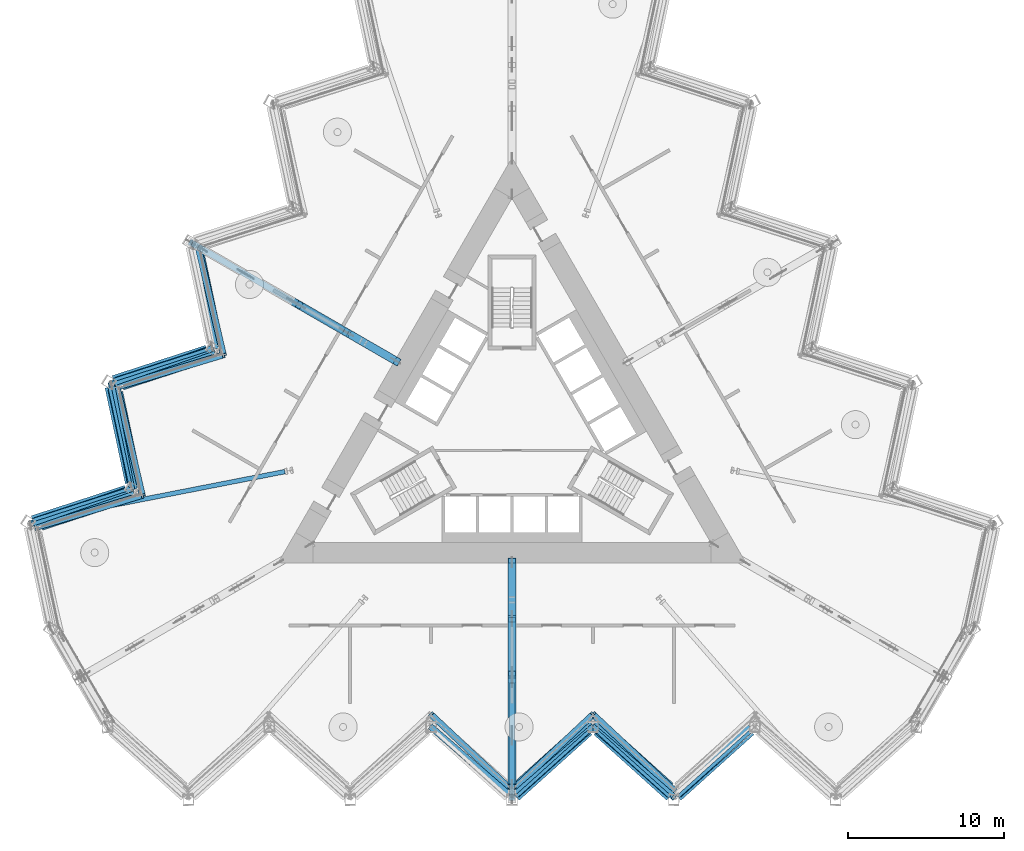
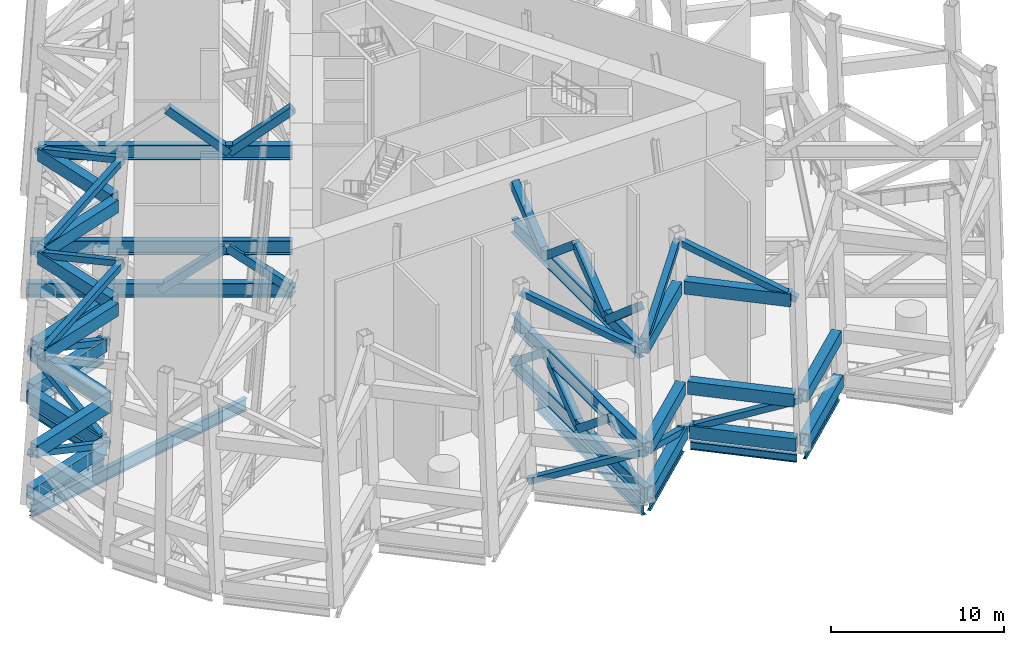
# One storey, part 3 of 19: 48 members, 8 beams.
"""IFC4 building model written with IfcOpenShell, lengths in metres."""

from ifc_helpers import new_model, si_unit, direction, frame, origin, origin_2d, place, context, subcontext, project, spatial, hollow_rectangle, i_section, extrude, material, material_profile, profile_set, type_object, element, save


model = new_model("IFC4")

# Units and contexts
model_context = context("Model", 3, precision=1e-05, world=origin(), true_north=direction((0.0, 1.0)))
body_context = subcontext(model_context, "Body", "Model", "MODEL_VIEW")
ifc_project = project(units=[si_unit("LENGTHUNIT", "METRE"), si_unit("AREAUNIT", "SQUARE_METRE"), si_unit("VOLUMEUNIT", "CUBIC_METRE"), si_unit("PLANEANGLEUNIT", "RADIAN"), si_unit("MASSUNIT", "GRAM", prefix="KILO")], contexts=[model_context])

# Site, building, storey
site_placement = place(None, origin())
site = spatial("IfcSite", under=ifc_project, at=site_placement, CompositionType="ELEMENT")
building_placement = place(site_placement, origin())
building = spatial("IfcBuilding", under=site, at=building_placement, Name="Cormorant Prow Tower", CompositionType="ELEMENT")
storey_placement = place(building_placement, frame((0.0, 0.0, 287.800048828125)))
storey = spatial("IfcBuildingStorey", under=building, at=storey_placement, Name="L64", CompositionType="ELEMENT", Elevation=287.800048828125)

# Members
ifc_material_1 = material(Name="Structural steel ASTM A572 Gr 50", Category="steel")
ifc_material_profile_1 = material_profile(ifc_material_1, hollow_rectangle(XDim=0.60009765625, YDim=0.89990234375, WallThickness=0.06005859375, at=origin_2d()), Name="Box 900x600x60")
ifc_profile_set_1 = profile_set([ifc_material_profile_1], Name="Structural steel ASTM A572 Gr 50")
member_type_1 = type_object("IfcMemberType", Name="Belt truss bottom chord 900x600x60", PredefinedType="CHORD", material=ifc_profile_set_1)
member_1_placement = place(storey_placement, frame((0.260009765625, -23.65283203125, 0.449951171875), z_axis=(0.743156918576, 0.669117175368, 0.0), x_axis=(-0.669117175368, 0.743156918576, 0.0)))
element("IfcMember", 1, at=member_1_placement, inside=storey, type_object=member_type_1, Name="Belt truss bottom chord S05-S06 L64", PredefinedType="CHORD", context=body_context, shape_type="SweptSolid", body=[
    extrude(hollow_rectangle(XDim=0.60009765625, YDim=0.89990234375, WallThickness=0.06005859375, at=origin_2d()), origin(), (0.0, 0.0, 1.0), 6.281494140625),
])
member_2_placement = place(storey_placement, frame((0.260009765625, -23.43603515625, 3.449951171875), z_axis=(0.743174381453, 0.669097779664, 0.0), x_axis=(-0.669097779664, 0.743174381453, 0.0)))
element("IfcMember", 2, at=member_2_placement, inside=storey, type_object=member_type_1, Name="Belt truss intermediate chord S05-S06 L64 level 1", PredefinedType="CHORD", context=body_context, shape_type="SweptSolid", body=[
    extrude(hollow_rectangle(XDim=0.60009765625, YDim=0.89990234375, WallThickness=0.06005859375, at=origin_2d()), origin(), (0.0, 0.0, 1.0), 6.28515625),
])
member_3_placement = place(storey_placement, frame((0.260009765625, -23.00927734375, 10.25), z_axis=(0.743153289004, 0.669121206541, 0.0), x_axis=(-0.669121206541, 0.743153289004, 0.0)))
element("IfcMember", 3, at=member_3_placement, inside=storey, type_object=member_type_1, Name="Belt truss intermediate chord S05-S06 L64 level 2", PredefinedType="CHORD", context=body_context, shape_type="SweptSolid", body=[
    extrude(hollow_rectangle(XDim=0.60009765625, YDim=0.89990234375, WallThickness=0.06005859375, at=origin_2d()), origin(), (0.0, 0.0, 1.0), 6.292236328125),
])
member_4_placement = place(storey_placement, frame((5.4482421875, -19.44970703125, 0.449951171875), z_axis=(0.743156918576, -0.669117175368, 0.0), x_axis=(0.669117175368, 0.743156918576, 0.0)))
element("IfcMember", 4, at=member_4_placement, inside=storey, type_object=member_type_1, Name="Belt truss bottom chord S06-S07 L64", PredefinedType="CHORD", context=body_context, shape_type="SweptSolid", body=[
    extrude(hollow_rectangle(XDim=0.60009765625, YDim=0.89990234375, WallThickness=0.06005859375, at=origin_2d()), origin(), (0.0, 0.0, 1.0), 6.281494140625),
])
member_5_placement = place(storey_placement, frame((5.450927734375, -19.230712890625, 3.449951171875), z_axis=(0.743174381453, -0.669097779664, 0.0), x_axis=(0.669097779664, 0.743174381453, 0.0)))
element("IfcMember", 5, at=member_5_placement, inside=storey, type_object=member_type_1, Name="Belt truss intermediate chord S06-S07 L64 level 1", PredefinedType="CHORD", context=body_context, shape_type="SweptSolid", body=[
    extrude(hollow_rectangle(XDim=0.60009765625, YDim=0.89990234375, WallThickness=0.06005859375, at=origin_2d()), origin(), (0.0, 0.0, 1.0), 6.28515625),
])
member_6_placement = place(storey_placement, frame((5.456298828125, -18.799072265625, 10.25), z_axis=(0.743153289004, -0.669121206541, 0.0), x_axis=(0.669121206541, 0.743153289004, 0.0)))
element("IfcMember", 6, at=member_6_placement, inside=storey, type_object=member_type_1, Name="Belt truss intermediate chord S06-S07 L64 level 2", PredefinedType="CHORD", context=body_context, shape_type="SweptSolid", body=[
    extrude(hollow_rectangle(XDim=0.60009765625, YDim=0.89990234375, WallThickness=0.06005859375, at=origin_2d()), origin(), (0.0, 0.0, 1.0), 6.292236328125),
])
member_7_placement = place(storey_placement, frame((10.636474609375, -23.65283203125, 0.449951171875), z_axis=(0.743156918576, 0.669117175368, 0.0), x_axis=(-0.669117175368, 0.743156918576, 0.0)))
element("IfcMember", 7, at=member_7_placement, inside=storey, type_object=member_type_1, Name="Belt truss bottom chord S07-S08 L64", PredefinedType="CHORD", context=body_context, shape_type="SweptSolid", body=[
    extrude(hollow_rectangle(XDim=0.60009765625, YDim=0.89990234375, WallThickness=0.06005859375, at=origin_2d()), origin(), (0.0, 0.0, 1.0), 6.281494140625),
])
member_8_placement = place(storey_placement, frame((10.641845703125, -23.43603515625, 3.449951171875), z_axis=(0.743174381453, 0.669097779664, 0.0), x_axis=(-0.669097779664, 0.743174381453, 0.0)))
element("IfcMember", 8, at=member_8_placement, inside=storey, type_object=member_type_1, Name="Belt truss intermediate chord S07-S08 L64 level 1", PredefinedType="CHORD", context=body_context, shape_type="SweptSolid", body=[
    extrude(hollow_rectangle(XDim=0.60009765625, YDim=0.89990234375, WallThickness=0.06005859375, at=origin_2d()), origin(), (0.0, 0.0, 1.0), 6.28515625),
])
member_9_placement = place(storey_placement, frame((-20.056640625, 11.279296875, 10.25), z_axis=(0.207899129292, -0.978150270684, 0.0), x_axis=(0.978150270684, 0.207899129292, 0.0)))
element("IfcMember", 9, at=member_9_placement, inside=storey, type_object=member_type_1, Name="Belt truss intermediate chord WNW05-WNW06 L64 level 2", PredefinedType="CHORD", context=body_context, shape_type="SweptSolid", body=[
    extrude(hollow_rectangle(XDim=0.60009765625, YDim=0.89990234375, WallThickness=0.06005859375, at=origin_2d()), origin(), (0.0, 0.0, 1.0), 6.2919921875),
])
member_10_placement = place(storey_placement, frame((-19.568115234375, 5.00634765625, 0.449951171875), z_axis=(-0.951061771288, -0.309000820701, 0.0), x_axis=(0.309000820701, -0.951061771288, 0.0)))
element("IfcMember", 10, at=member_10_placement, inside=storey, type_object=member_type_1, Name="Belt truss bottom chord WNW06-WNW07 L64", PredefinedType="CHORD", context=body_context, shape_type="SweptSolid", body=[
    extrude(hollow_rectangle(XDim=0.60009765625, YDim=0.89990234375, WallThickness=0.06005859375, at=origin_2d()), origin(), (0.0, 0.0, 1.0), 6.28125),
])
member_11_placement = place(storey_placement, frame((-19.379638671875, 4.89453125, 3.449951171875), z_axis=(-0.951060327373, -0.309005264836, 0.0), x_axis=(0.309005264836, -0.951060327373, 0.0)))
element("IfcMember", 11, at=member_11_placement, inside=storey, type_object=member_type_1, Name="Belt truss intermediate chord WNW06-WNW07 L64 level 1", PredefinedType="CHORD", context=body_context, shape_type="SweptSolid", body=[
    extrude(hollow_rectangle(XDim=0.60009765625, YDim=0.89990234375, WallThickness=0.06005859375, at=origin_2d()), origin(), (0.0, 0.0, 1.0), 6.28515625),
])
member_12_placement = place(storey_placement, frame((-19.008544921875, 4.67431640625, 10.25), z_axis=(-0.951057732739, -0.309013250521, 0.0), x_axis=(0.309013250521, -0.951057732739, 0.0)))
element("IfcMember", 12, at=member_12_placement, inside=storey, type_object=member_type_1, Name="Belt truss intermediate chord WNW06-WNW07 L64 level 2", PredefinedType="CHORD", context=body_context, shape_type="SweptSolid", body=[
    extrude(hollow_rectangle(XDim=0.60009765625, YDim=0.89990234375, WallThickness=0.06005859375, at=origin_2d()), origin(), (0.0, 0.0, 1.0), 6.2919921875),
])
member_13_placement = place(storey_placement, frame((-25.80224609375, 2.61474609375, 0.449951171875), z_axis=(0.207941499013, -0.978141264331, 0.0), x_axis=(0.978141264331, 0.207941499013, 0.0)))
element("IfcMember", 13, at=member_13_placement, inside=storey, type_object=member_type_1, Name="Belt truss bottom chord WNW07-WNW08 L64", PredefinedType="CHORD", context=body_context, shape_type="SweptSolid", body=[
    extrude(hollow_rectangle(XDim=0.60009765625, YDim=0.89990234375, WallThickness=0.06005859375, at=origin_2d()), origin(), (0.0, 0.0, 1.0), 6.28125),
])
member_14_placement = place(storey_placement, frame((-25.6171875, 2.501953125, 3.449951171875), z_axis=(0.207897315893, -0.978150656108, 0.0), x_axis=(0.978150656108, 0.207897315893, 0.0)))
element("IfcMember", 14, at=member_14_placement, inside=storey, type_object=member_type_1, Name="Belt truss intermediate chord WNW07-WNW08 L64 level 1", PredefinedType="CHORD", context=body_context, shape_type="SweptSolid", body=[
    extrude(hollow_rectangle(XDim=0.60009765625, YDim=0.89990234375, WallThickness=0.06005859375, at=origin_2d()), origin(), (0.0, 0.0, 1.0), 6.284912109375),
])
member_15_placement = place(storey_placement, frame((-25.2529296875, 2.279296875, 10.25), z_axis=(0.207936253386, -0.978142379476, 0.0), x_axis=(0.978142379476, 0.207936253386, 0.0)))
element("IfcMember", 15, at=member_15_placement, inside=storey, type_object=member_type_1, Name="Belt truss intermediate chord WNW07-WNW08 L64 level 2", PredefinedType="CHORD", context=body_context, shape_type="SweptSolid", body=[
    extrude(hollow_rectangle(XDim=0.60009765625, YDim=0.89990234375, WallThickness=0.06005859375, at=origin_2d()), origin(), (0.0, 0.0, 1.0), 6.2919921875),
])
member_16_placement = place(storey_placement, frame((-24.75634765625, -3.97998046875, 0.449951171875), z_axis=(-0.951061771288, -0.309000820701, 0.0), x_axis=(0.309000820701, -0.951061771288, 0.0)))
element("IfcMember", 16, at=member_16_placement, inside=storey, type_object=member_type_1, Name="Belt truss bottom chord WNW08-WNW09 L64", PredefinedType="CHORD", context=body_context, shape_type="SweptSolid", body=[
    extrude(hollow_rectangle(XDim=0.60009765625, YDim=0.89990234375, WallThickness=0.06005859375, at=origin_2d()), origin(), (0.0, 0.0, 1.0), 6.28125),
])
member_17_placement = place(storey_placement, frame((-24.570556640625, -4.096435546875, 3.449951171875), z_axis=(-0.951060327373, -0.309005264836, 0.0), x_axis=(0.309005264836, -0.951060327373, 0.0)))
element("IfcMember", 17, at=member_17_placement, inside=storey, type_object=member_type_1, Name="Belt truss intermediate chord WNW08-WNW09 L64 level 1", PredefinedType="CHORD", context=body_context, shape_type="SweptSolid", body=[
    extrude(hollow_rectangle(XDim=0.60009765625, YDim=0.89990234375, WallThickness=0.06005859375, at=origin_2d()), origin(), (0.0, 0.0, 1.0), 6.28515625),
])
member_18_placement = place(storey_placement, frame((-24.204833984375, -4.32568359375, 10.25), z_axis=(-0.951046328947, -0.309048346051, 0.0), x_axis=(0.309048346051, -0.951046328947, 0.0)))
element("IfcMember", 18, at=member_18_placement, inside=storey, type_object=member_type_1, Name="Belt truss intermediate chord WNW08-WNW09 L64 level 2", PredefinedType="CHORD", context=body_context, shape_type="SweptSolid", body=[
    extrude(hollow_rectangle(XDim=0.60009765625, YDim=0.89990234375, WallThickness=0.06005859375, at=origin_2d()), origin(), (0.0, 0.0, 1.0), 6.292236328125),
])
ifc_material_2 = material(Name="Structural steel ASTM A500 Gr C", Category="steel")
ifc_material_profile_2 = material_profile(ifc_material_2, hollow_rectangle(XDim=0.406494140625, YDim=0.406494140625, WallThickness=0.014892578125, at=origin_2d()), Name="HSS16x16x5/8")
ifc_profile_set_2 = profile_set([ifc_material_profile_2], Name="Structural steel ASTM A500 Gr C")
member_type_2 = type_object("IfcMemberType", Name="Belt truss diagonal HSS16x16x5/8", PredefinedType="BRACE", material=ifc_profile_set_2)
member_19_placement = place(storey_placement, frame((0.0, -23.243408203125, 10.25), z_axis=(-0.672634512594, 0.629988732666, 0.388171365742), x_axis=(-0.683591008977, -0.729865283766, 0.0)))
element("IfcMember", 19, at=member_19_placement, inside=storey, type_object=member_type_2, Name="Belt truss diagonal S04-S05 L64 upper girder band", PredefinedType="BRACE", context=body_context, shape_type="SweptSolid", body=[
    extrude(hollow_rectangle(XDim=0.406494140625, YDim=0.406494140625, WallThickness=0.014892578125, at=origin_2d()), origin(), (0.0, 0.0, 1.0), 7.728515625),
])
member_20_placement = place(storey_placement, frame((5.1884765625, -19.186767578125, 0.449951171875), z_axis=(-0.693194904234, -0.599027122918, 0.40080834666), x_axis=(0.65384415991, -0.756629245108, 0.0)))
element("IfcMember", 20, at=member_20_placement, inside=storey, type_object=member_type_2, Name="Belt truss diagonal S05-S06 L64 lower girder band", PredefinedType="BRACE", context=body_context, shape_type="SweptSolid", body=[
    extrude(hollow_rectangle(XDim=0.406494140625, YDim=0.406494140625, WallThickness=0.014892578125, at=origin_2d()), origin(), (0.0, 0.0, 1.0), 7.48486328125),
])
member_21_placement = place(storey_placement, frame((10.392333984375, -23.243408203125, 10.25), z_axis=(-0.672305666373, 0.630243109169, 0.388328101363), x_axis=(-0.683916032166, -0.7295607315, 0.0)))
element("IfcMember", 21, at=member_21_placement, inside=storey, type_object=member_type_2, Name="Belt truss diagonal S06-S07 L64 upper girder band", PredefinedType="BRACE", context=body_context, shape_type="SweptSolid", body=[
    extrude(hollow_rectangle(XDim=0.406494140625, YDim=0.406494140625, WallThickness=0.014892578125, at=origin_2d()), origin(), (0.0, 0.0, 1.0), 7.725341796875),
])
member_22_placement = place(storey_placement, frame((-25.32568359375, 2.621826171875, 10.25), z_axis=(0.881967796389, 0.267096342222, 0.388319906913), x_axis=(-0.289841782359, 0.957074574523, 0.0)))
element("IfcMember", 22, at=member_22_placement, inside=storey, type_object=member_type_2, Name="Belt truss diagonal WNW06-WNW07 L64 upper girder band", PredefinedType="BRACE", context=body_context, shape_type="SweptSolid", body=[
    extrude(hollow_rectangle(XDim=0.406494140625, YDim=0.406494140625, WallThickness=0.014892578125, at=origin_2d()), origin(), (0.0, 0.0, 1.0), 7.7255859375),
])
member_23_placement = place(storey_placement, frame((-24.399169921875, -3.886962890625, 0.449951171875), z_axis=(-0.172524862392, 0.899694151884, 0.400980803683), x_axis=(-0.982106160263, -0.188328144402, 0.0)))
element("IfcMember", 23, at=member_23_placement, inside=storey, type_object=member_type_2, Name="Belt truss diagonal WNW07-WNW08 L64 lower girder band", PredefinedType="BRACE", context=body_context, shape_type="SweptSolid", body=[
    extrude(hollow_rectangle(XDim=0.406494140625, YDim=0.406494140625, WallThickness=0.014892578125, at=origin_2d()), origin(), (0.0, 0.0, 1.0), 7.481689453125),
])
member_24_placement = place(storey_placement, frame((-30.521728515625, -6.37841796875, 10.25), z_axis=(0.882016648102, 0.266701044603, 0.3884806112), x_axis=(-0.289434096381, 0.957197943924, 0.0)))
element("IfcMember", 24, at=member_24_placement, inside=storey, type_object=member_type_2, Name="Belt truss diagonal WNW08-WNW09 L64 upper girder band", PredefinedType="BRACE", context=body_context, shape_type="SweptSolid", body=[
    extrude(hollow_rectangle(XDim=0.406494140625, YDim=0.406494140625, WallThickness=0.014892578125, at=origin_2d()), origin(), (0.0, 0.0, 1.0), 7.722412109375),
])
ifc_material_3 = material(Name="Structural steel ASTM A500 Gr C", Category="steel")
ifc_material_profile_3 = material_profile(ifc_material_3, hollow_rectangle(XDim=0.406494140625, YDim=0.406494140625, WallThickness=0.014892578125, at=origin_2d()), Name="HSS16x16x5/8")
ifc_profile_set_3 = profile_set([ifc_material_profile_3], Name="Structural steel ASTM A500 Gr C")
member_type_3 = type_object("IfcMemberType", Name="Belt truss strut HSS16x16x5/8", PredefinedType="STRUT", material=ifc_profile_set_3)
member_25_placement = place(storey_placement, frame((-5.1884765625, -19.186767578125, 0.449951171875), z_axis=(0.693194904234, -0.599027122918, 0.40080834666), x_axis=(0.65384415991, 0.756629245108, 0.0)))
element("IfcMember", 25, at=member_25_placement, inside=storey, type_object=member_type_3, Name="Belt truss strut S04-S05 L64 lower girder band", PredefinedType="STRUT", context=body_context, shape_type="SweptSolid", body=[
    extrude(hollow_rectangle(XDim=0.406494140625, YDim=0.406494140625, WallThickness=0.014892578125, at=origin_2d()), origin(), (0.0, 0.0, 1.0), 7.48486328125),
])
member_26_placement = place(storey_placement, frame((0.0, -23.243408203125, 10.25), z_axis=(0.672634512594, 0.629988732666, 0.388171365742), x_axis=(-0.683591008977, 0.729865283766, 0.0)))
element("IfcMember", 26, at=member_26_placement, inside=storey, type_object=member_type_3, Name="Belt truss strut S05-S06 L64 upper girder band", PredefinedType="STRUT", context=body_context, shape_type="SweptSolid", body=[
    extrude(hollow_rectangle(XDim=0.406494140625, YDim=0.406494140625, WallThickness=0.014892578125, at=origin_2d()), origin(), (0.0, 0.0, 1.0), 7.728515625),
])
member_27_placement = place(storey_placement, frame((5.1884765625, -19.186767578125, 0.449951171875), z_axis=(0.693533561589, -0.598756292712, 0.400627134487), x_axis=(0.653492012881, 0.756933411272, 0.0)))
element("IfcMember", 27, at=member_27_placement, inside=storey, type_object=member_type_3, Name="Belt truss strut S06-S07 L64 lower girder band", PredefinedType="STRUT", context=body_context, shape_type="SweptSolid", body=[
    extrude(hollow_rectangle(XDim=0.406494140625, YDim=0.406494140625, WallThickness=0.014892578125, at=origin_2d()), origin(), (0.0, 0.0, 1.0), 7.48828125),
])
member_28_placement = place(storey_placement, frame((-20.12939453125, 11.621826171875, 10.25), z_axis=(0.209278412901, -0.897512191299, 0.38816802079), x_axis=(0.973875078502, 0.227084414862, 0.0)))
element("IfcMember", 28, at=member_28_placement, inside=storey, type_object=member_type_3, Name="Belt truss strut WNW05-WNW06 L64 upper girder band", PredefinedType="STRUT", context=body_context, shape_type="SweptSolid", body=[
    extrude(hollow_rectangle(XDim=0.406494140625, YDim=0.406494140625, WallThickness=0.014892578125, at=origin_2d()), origin(), (0.0, 0.0, 1.0), 7.728515625),
])
member_29_placement = place(storey_placement, frame((-19.210693359375, 5.099853515625, 0.449951171875), z_axis=(-0.865297224447, -0.30123520316, 0.400647058819), x_axis=(0.32877595358, -0.944407948054, 0.0)))
element("IfcMember", 29, at=member_29_placement, inside=storey, type_object=member_type_3, Name="Belt truss strut WNW06-WNW07 L64 lower girder band", PredefinedType="STRUT", context=body_context, shape_type="SweptSolid", body=[
    extrude(hollow_rectangle(XDim=0.406494140625, YDim=0.406494140625, WallThickness=0.014892578125, at=origin_2d()), origin(), (0.0, 0.0, 1.0), 7.48779296875),
])
member_30_placement = place(storey_placement, frame((-25.32568359375, 2.621826171875, 10.25), z_axis=(0.20890583165, -0.897669874241, 0.388004059751), x_axis=(0.97397321077, 0.226663152501, 0.0)))
element("IfcMember", 30, at=member_30_placement, inside=storey, type_object=member_type_3, Name="Belt truss strut WNW07-WNW08 L64 upper girder band", PredefinedType="STRUT", context=body_context, shape_type="SweptSolid", body=[
    extrude(hollow_rectangle(XDim=0.406494140625, YDim=0.406494140625, WallThickness=0.014892578125, at=origin_2d()), origin(), (0.0, 0.0, 1.0), 7.73193359375),
])
member_31_placement = place(storey_placement, frame((-24.399169921875, -3.886962890625, 0.449951171875), z_axis=(-0.865234606203, -0.30165398, 0.400467167917), x_axis=(0.3292047616, -0.944258558309, 0.0)))
element("IfcMember", 31, at=member_31_placement, inside=storey, type_object=member_type_3, Name="Belt truss strut WNW08-WNW09 L64 lower girder band", PredefinedType="STRUT", context=body_context, shape_type="SweptSolid", body=[
    extrude(hollow_rectangle(XDim=0.406494140625, YDim=0.406494140625, WallThickness=0.014892578125, at=origin_2d()), origin(), (0.0, 0.0, 1.0), 7.4912109375),
])
ifc_material_4 = material(Name="Structural steel ASTM A992 Gr 50", Category="steel")
ifc_material_profile_4 = material_profile(ifc_material_4, i_section(OverallWidth=0.39990234375, OverallDepth=1.000244140625, WebThickness=0.01904296875, FlangeThickness=0.0361328125, at=origin_2d()), Name="W40x249")
ifc_profile_set_4 = profile_set([ifc_material_profile_4], Name="Structural steel ASTM A992 Gr 50")
member_type_4 = type_object("IfcMemberType", Name="Outrigger chord W40x249", PredefinedType="CHORD", material=ifc_profile_set_4)
member_32_placement = place(storey_placement, frame((-7.3701171875, 4.255126953125, 0.5), z_axis=(-0.866029325535, 0.499993207268, 0.0), x_axis=(-0.499993207268, -0.866029325535, 0.0)))
element("IfcMember", 32, at=member_32_placement, inside=storey, type_object=member_type_4, Name="Outrigger bottom chord 2 L64", PredefinedType="CHORD", context=body_context, shape_type="SweptSolid", body=[
    extrude(i_section(OverallWidth=0.39990234375, OverallDepth=1.000244140625, WebThickness=0.01904296875, FlangeThickness=0.0361328125, at=origin_2d()), origin(), (0.0, 0.0, 1.0), 15.376708984375),
])
member_33_placement = place(storey_placement, frame((-7.3701171875, 4.255126953125, 3.5), z_axis=(-0.866025844829, 0.499999236088, 0.0), x_axis=(-0.499999236088, -0.866025844829, 0.0)))
element("IfcMember", 33, at=member_33_placement, inside=storey, type_object=member_type_4, Name="Outrigger intermediate chord 2 L64 level 1", PredefinedType="CHORD", context=body_context, shape_type="SweptSolid", body=[
    extrude(i_section(OverallWidth=0.39990234375, OverallDepth=1.000244140625, WebThickness=0.01904296875, FlangeThickness=0.0361328125, at=origin_2d()), origin(), (0.0, 0.0, 1.0), 15.1689453125),
])
member_34_placement = place(storey_placement, frame((-7.3701171875, 4.255126953125, 10.19970703125), z_axis=(-0.866024680886, 0.500001252094, 0.0), x_axis=(-0.500001252094, -0.866024680886, 0.0)))
element("IfcMember", 34, at=member_34_placement, inside=storey, type_object=member_type_4, Name="Outrigger intermediate chord 2 L64 level 2", PredefinedType="CHORD", context=body_context, shape_type="SweptSolid", body=[
    extrude(i_section(OverallWidth=0.39990234375, OverallDepth=1.000244140625, WebThickness=0.01904296875, FlangeThickness=0.0361328125, at=origin_2d()), origin(), (0.0, 0.0, 1.0), 14.70556640625),
])
member_35_placement = place(storey_placement, frame((0.0, -8.51025390625, 0.5), z_axis=(0.0, -1.0, 0.0), x_axis=(1.0, 0.0, 0.0)))
element("IfcMember", 35, at=member_35_placement, inside=storey, type_object=member_type_4, Name="Outrigger bottom chord 4 L64", PredefinedType="CHORD", context=body_context, shape_type="SweptSolid", body=[
    extrude(i_section(OverallWidth=0.39990234375, OverallDepth=1.000244140625, WebThickness=0.01904296875, FlangeThickness=0.0361328125, at=origin_2d()), origin(), (0.0, 0.0, 1.0), 15.376708984375),
])
member_36_placement = place(storey_placement, frame((0.0, -8.51025390625, 3.5), z_axis=(0.0, -1.0, 0.0), x_axis=(1.0, 0.0, 0.0)))
element("IfcMember", 36, at=member_36_placement, inside=storey, type_object=member_type_4, Name="Outrigger intermediate chord 4 L64 level 1", PredefinedType="CHORD", context=body_context, shape_type="SweptSolid", body=[
    extrude(i_section(OverallWidth=0.39990234375, OverallDepth=1.000244140625, WebThickness=0.01904296875, FlangeThickness=0.0361328125, at=origin_2d()), origin(), (0.0, 0.0, 1.0), 15.1689453125),
])
member_37_placement = place(storey_placement, frame((0.0, -8.51025390625, 10.19970703125), z_axis=(0.0, -1.0, 0.0), x_axis=(1.0, 0.0, 0.0)))
element("IfcMember", 37, at=member_37_placement, inside=storey, type_object=member_type_4, Name="Outrigger intermediate chord 4 L64 level 2", PredefinedType="CHORD", context=body_context, shape_type="SweptSolid", body=[
    extrude(i_section(OverallWidth=0.39990234375, OverallDepth=1.000244140625, WebThickness=0.01904296875, FlangeThickness=0.0361328125, at=origin_2d()), origin(), (0.0, 0.0, 1.0), 14.705322265625),
])
ifc_material_5 = material(Name="Structural steel ASTM A500 Gr C", Category="steel")
ifc_material_profile_5 = material_profile(ifc_material_5, hollow_rectangle(XDim=0.508056640625, YDim=0.508056640625, WallThickness=0.014892578125, at=origin_2d()), Name="HSS20x20x5/8")
ifc_profile_set_5 = profile_set([ifc_material_profile_5], Name="Structural steel ASTM A500 Gr C")
member_type_5 = type_object("IfcMemberType", Name="Outrigger diagonal HSS20x20x5/8", PredefinedType="BRACE", material=ifc_profile_set_5)
member_38_placement = place(storey_placement, frame((-7.3701171875, 4.255126953125, 0.5), z_axis=(-0.679188210515, 0.392153942244, 0.620418133423), x_axis=(-0.500023377642, -0.866011906276, 0.0)))
element("IfcMember", 38, at=member_38_placement, inside=storey, type_object=member_type_5, Name="Outrigger diagonal 2.1 L64 lower girder band", PredefinedType="BRACE", context=body_context, shape_type="SweptSolid", body=[
    extrude(hollow_rectangle(XDim=0.508056640625, YDim=0.508056640625, WallThickness=0.014892578125, at=origin_2d()), origin(), (0.0, 0.0, 1.0), 4.83544921875),
])
member_39_placement = place(storey_placement, frame((-7.3701171875, 4.255126953125, 13.19970703125), z_axis=(-0.670979945825, 0.387378882917, -0.632236912376), x_axis=(-0.49998880049, -0.866031869728, 0.0)))
element("IfcMember", 39, at=member_39_placement, inside=storey, type_object=member_type_5, Name="Outrigger diagonal 2.1 L64 upper girder band", PredefinedType="BRACE", context=body_context, shape_type="SweptSolid", body=[
    extrude(hollow_rectangle(XDim=0.508056640625, YDim=0.508056640625, WallThickness=0.014892578125, at=origin_2d()), origin(), (0.0, 0.0, 1.0), 4.7451171875),
])
member_40_placement = place(storey_placement, frame((0.0, -8.51025390625, 0.5), z_axis=(0.0, -0.784265895643, 0.620424858409), x_axis=(1.0, 0.0, 0.0)))
element("IfcMember", 40, at=member_40_placement, inside=storey, type_object=member_type_5, Name="Outrigger diagonal 4.1 L64 lower girder band", PredefinedType="BRACE", context=body_context, shape_type="SweptSolid", body=[
    extrude(hollow_rectangle(XDim=0.508056640625, YDim=0.508056640625, WallThickness=0.014892578125, at=origin_2d()), origin(), (0.0, 0.0, 1.0), 4.83544921875),
])
member_41_placement = place(storey_placement, frame((0.0, -16.198486328125, 0.5), z_axis=(0.0, -0.775793476881, 0.630986910505), x_axis=(1.0, 0.0, 0.0)))
element("IfcMember", 41, at=member_41_placement, inside=storey, type_object=member_type_5, Name="Outrigger diagonal 4.3 L64 lower girder band", PredefinedType="BRACE", context=body_context, shape_type="SweptSolid", body=[
    extrude(hollow_rectangle(XDim=0.508056640625, YDim=0.508056640625, WallThickness=0.014892578125, at=origin_2d()), origin(), (0.0, 0.0, 1.0), 4.75439453125),
])
member_42_placement = place(storey_placement, frame((0.0, -8.51025390625, 13.19970703125), z_axis=(0.0, -0.774768183014, -0.632245413261), x_axis=(1.0, 0.0, 0.0)))
element("IfcMember", 42, at=member_42_placement, inside=storey, type_object=member_type_5, Name="Outrigger diagonal 4.1 L64 upper girder band", PredefinedType="BRACE", context=body_context, shape_type="SweptSolid", body=[
    extrude(hollow_rectangle(XDim=0.508056640625, YDim=0.508056640625, WallThickness=0.014892578125, at=origin_2d()), origin(), (0.0, 0.0, 1.0), 4.744873046875),
])
member_43_placement = place(storey_placement, frame((0.0, -15.75927734375, 13.19970703125), z_axis=(0.0, -0.783291249176, -0.621654903434), x_axis=(1.0, 0.0, 0.0)))
element("IfcMember", 43, at=member_43_placement, inside=storey, type_object=member_type_5, Name="Outrigger diagonal 4.3 L64 upper girder band", PredefinedType="BRACE", context=body_context, shape_type="SweptSolid", body=[
    extrude(hollow_rectangle(XDim=0.508056640625, YDim=0.508056640625, WallThickness=0.014892578125, at=origin_2d()), origin(), (0.0, 0.0, 1.0), 4.825927734375),
])
ifc_material_6 = material(Name="Structural steel ASTM A500 Gr C", Category="steel")
ifc_material_profile_6 = material_profile(ifc_material_6, hollow_rectangle(XDim=0.508056640625, YDim=0.508056640625, WallThickness=0.014892578125, at=origin_2d()), Name="HSS20x20x5/8")
ifc_profile_set_6 = profile_set([ifc_material_profile_6], Name="Structural steel ASTM A500 Gr C")
member_type_6 = type_object("IfcMemberType", Name="Outrigger strut HSS20x20x5/8", PredefinedType="STRUT", material=ifc_profile_set_6)
member_44_placement = place(storey_placement, frame((-10.654296875, 6.1513671875, 3.5), z_axis=(-0.686169401178, 0.396161045731, -0.610104891583), x_axis=(-0.500000906121, -0.866024880635, 0.0)))
element("IfcMember", 44, at=member_44_placement, inside=storey, type_object=member_type_6, Name="Outrigger strut 2.2 L64 lower girder band", PredefinedType="STRUT", context=body_context, shape_type="SweptSolid", body=[
    extrude(hollow_rectangle(XDim=0.508056640625, YDim=0.508056640625, WallThickness=0.014892578125, at=origin_2d()), origin(), (0.0, 0.0, 1.0), 4.917236328125),
])
member_45_placement = place(storey_placement, frame((-10.553955078125, 6.09326171875, 10.19970703125), z_axis=(-0.663209446289, 0.382916714156, 0.643061443699), x_axis=(-0.500012302351, -0.866018300902, 0.0)))
element("IfcMember", 45, at=member_45_placement, inside=storey, type_object=member_type_6, Name="Outrigger strut 2.2 L64 upper girder band", PredefinedType="STRUT", context=body_context, shape_type="SweptSolid", body=[
    extrude(hollow_rectangle(XDim=0.508056640625, YDim=0.508056640625, WallThickness=0.014892578125, at=origin_2d()), origin(), (0.0, 0.0, 1.0), 4.665283203125),
])
member_46_placement = place(storey_placement, frame((0.0, -12.302490234375, 3.5), z_axis=(0.0, -0.792321190058, -0.610104197483), x_axis=(1.0, 0.0, 0.0)))
element("IfcMember", 46, at=member_46_placement, inside=storey, type_object=member_type_6, Name="Outrigger strut 4.2 L64 lower girder band", PredefinedType="STRUT", context=body_context, shape_type="SweptSolid", body=[
    extrude(hollow_rectangle(XDim=0.508056640625, YDim=0.508056640625, WallThickness=0.014892578125, at=origin_2d()), origin(), (0.0, 0.0, 1.0), 4.917236328125),
])
member_47_placement = place(storey_placement, frame((0.0, -12.1865234375, 10.19970703125), z_axis=(0.0, -0.765822377463, 0.643052164429), x_axis=(1.0, 0.0, 0.0)))
element("IfcMember", 47, at=member_47_placement, inside=storey, type_object=member_type_6, Name="Outrigger strut 4.2 L64 upper girder band", PredefinedType="STRUT", context=body_context, shape_type="SweptSolid", body=[
    extrude(hollow_rectangle(XDim=0.508056640625, YDim=0.508056640625, WallThickness=0.014892578125, at=origin_2d()), origin(), (0.0, 0.0, 1.0), 4.665283203125),
])
member_48_placement = place(storey_placement, frame((0.0, -19.539306640625, 10.19970703125), z_axis=(0.0, -0.756363172452, 0.654151932932), x_axis=(1.0, 0.0, 0.0)))
element("IfcMember", 48, at=member_48_placement, inside=storey, type_object=member_type_6, Name="Outrigger strut 4.4 L64 upper girder band", PredefinedType="STRUT", context=body_context, shape_type="SweptSolid", body=[
    extrude(hollow_rectangle(XDim=0.508056640625, YDim=0.508056640625, WallThickness=0.014892578125, at=origin_2d()), origin(), (0.0, 0.0, 1.0), 4.586181640625),
])

# Beams
ifc_material_7 = material(Name="Structural steel ASTM A992 Gr 50", Category="steel")
ifc_material_profile_7 = material_profile(ifc_material_7, i_section(OverallWidth=0.29296875, OverallDepth=0.845703125, WebThickness=0.015380859375, FlangeThickness=0.0244140625, at=origin_2d()), Name="W33x141")
ifc_profile_set_7 = profile_set([ifc_material_profile_7], Name="Structural steel ASTM A992 Gr 50")
beam_type_1 = type_object("IfcBeamType", Name="Radial floor beam W33x141", PredefinedType="BEAM", material=ifc_profile_set_7)
beam_1_placement = place(storey_placement, frame((-14.5634765625, -2.80322265625, -0.77294921875), z_axis=(-0.981419133752, -0.191876220269, 0.0), x_axis=(0.191876220269, -0.981419133752, 0.0)))
element("IfcBeam", 49, at=beam_1_placement, inside=storey, type_object=beam_type_1, Name="Radial floor beam FB2 4 L64", PredefinedType="BEAM", context=body_context, shape_type="SweptSolid", body=[
    extrude(i_section(OverallWidth=0.29296875, OverallDepth=0.845703125, WebThickness=0.015380859375, FlangeThickness=0.0244140625, at=origin_2d()), origin(), (0.0, 0.0, 1.0), 16.462158203125),
])
beam_2_placement = place(storey_placement, frame((0.0, -11.259765625, -0.77294921875), z_axis=(0.0, -1.0, 0.0), x_axis=(1.0, 0.0, 0.0)))
element("IfcBeam", 50, at=beam_2_placement, inside=storey, type_object=beam_type_1, Name="Radial floor beam FB2 7 L64", PredefinedType="BEAM", context=body_context, shape_type="SweptSolid", body=[
    extrude(i_section(OverallWidth=0.29296875, OverallDepth=0.845703125, WebThickness=0.015380859375, FlangeThickness=0.0244140625, at=origin_2d()), origin(), (0.0, 0.0, 1.0), 12.277099609375),
])
ifc_material_8 = material(Name="Structural steel ASTM A992 Gr 50", Category="steel")
ifc_material_profile_8 = material_profile(ifc_material_8, i_section(OverallWidth=0.2138671875, OverallDepth=0.549072265625, WebThickness=0.0146484375, FlangeThickness=0.023681640625, at=origin_2d()), Name="W21x93")
ifc_profile_set_8 = profile_set([ifc_material_profile_8], Name="Structural steel ASTM A992 Gr 50")
beam_type_2 = type_object("IfcBeamType", Name="Spandrel beam W21x93", PredefinedType="SPANDREL", material=ifc_profile_set_8)
for number, where, z_axis, x_axis, name in (
    (51, (0.260009765625, -23.65283203125, -0.62451171875), (0.743156918576, 0.669117175368, 0.0), (-0.669117175368, 0.743156918576, 0.0), "Spandrel beam SB2 S05-S06 L64"),
    (52, (5.4482421875, -19.44970703125, -0.62451171875), (0.743156918576, -0.669117175368, 0.0), (0.669117175368, 0.743156918576, 0.0), "Spandrel beam SB2 S06-S07 L64"),
    (53, (10.636474609375, -23.65283203125, -0.62451171875), (0.743156918576, 0.669117175368, 0.0), (-0.669117175368, 0.743156918576, 0.0), "Spandrel beam SB2 S07-S08 L64"),
):
    element("IfcBeam", number, at=place(storey_placement, frame(where, z_axis=z_axis, x_axis=x_axis)), inside=storey, type_object=beam_type_2, Name=name, PredefinedType="SPANDREL", context=body_context, shape_type="SweptSolid", body=[
        extrude(i_section(OverallWidth=0.2138671875, OverallDepth=0.549072265625, WebThickness=0.0146484375, FlangeThickness=0.023681640625, at=origin_2d()), origin(), (0.0, 0.0, 1.0), 6.281494140625),
    ])
for number, where, z_axis, x_axis, name in (
    (54, (-19.568115234375, 5.00634765625, -0.62451171875), (-0.951061771288, -0.309000820701, 0.0), (0.309000820701, -0.951061771288, 0.0), "Spandrel beam SB2 WNW06-WNW07 L64"),
    (55, (-25.80224609375, 2.61474609375, -0.62451171875), (0.207941499013, -0.978141264331, 0.0), (0.978141264331, 0.207941499013, 0.0), "Spandrel beam SB2 WNW07-WNW08 L64"),
    (56, (-24.75634765625, -3.97998046875, -0.62451171875), (-0.951061771288, -0.309000820701, 0.0), (0.309000820701, -0.951061771288, 0.0), "Spandrel beam SB2 WNW08-WNW09 L64"),
):
    element("IfcBeam", number, at=place(storey_placement, frame(where, z_axis=z_axis, x_axis=x_axis)), inside=storey, type_object=beam_type_2, Name=name, PredefinedType="SPANDREL", context=body_context, shape_type="SweptSolid", body=[
        extrude(i_section(OverallWidth=0.2138671875, OverallDepth=0.549072265625, WebThickness=0.0146484375, FlangeThickness=0.023681640625, at=origin_2d()), origin(), (0.0, 0.0, 1.0), 6.28125),
    ])

save(model, "model.ifc")
